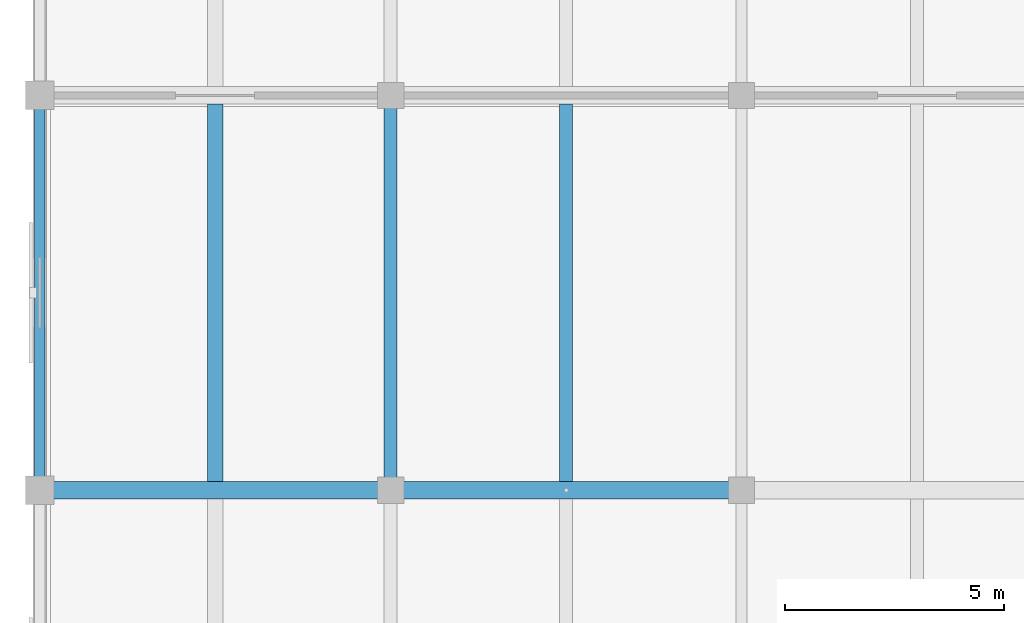
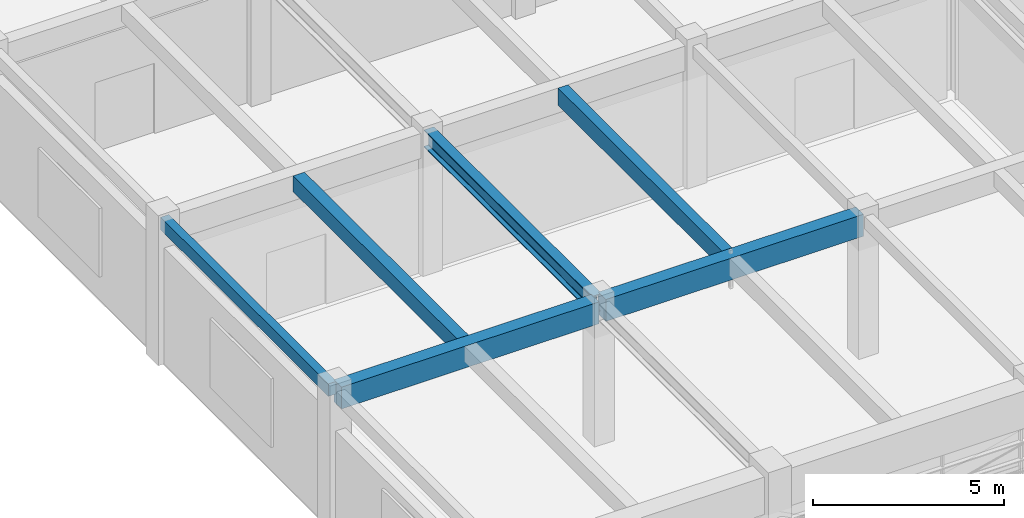
# One storey, part 37 of 144: 6 beams.
"""IFC4 building model written with IfcOpenShell, lengths in metres."""

from ifc_helpers import new_model, si_unit, direction, frame, origin, origin_2d, place, context, subcontext, project, spatial, rectangle, i_section, extrude, material, material_profile, profile_set, type_object, element, save


model = new_model("IFC4")

# Units and contexts
model_context = context("Model", 3, precision=1e-05, world=origin(), true_north=direction((0.0, 1.0)))
body_context = subcontext(model_context, "Body", "Model", "MODEL_VIEW")
ifc_project = project(units=[si_unit("LENGTHUNIT", "METRE"), si_unit("AREAUNIT", "SQUARE_METRE"), si_unit("VOLUMEUNIT", "CUBIC_METRE"), si_unit("PLANEANGLEUNIT", "RADIAN"), si_unit("MASSUNIT", "GRAM", prefix="KILO")], contexts=[model_context])

# Site, building, storey
site_placement = place(None, origin())
site = spatial("IfcSite", under=ifc_project, at=site_placement, CompositionType="ELEMENT")
building_placement = place(site_placement, origin())
building = spatial("IfcBuilding", under=site, at=building_placement, Name="Varnabhumi Central Station", CompositionType="ELEMENT")
storey_placement = place(building_placement, frame((0.0, 0.0, 4.800048828125)))
storey = spatial("IfcBuildingStorey", under=building, at=storey_placement, Name="L01", CompositionType="ELEMENT", Elevation=4.800048828125)

# Beams
ifc_material_1 = material(Name="Concrete M35", Category="concrete")
ifc_material_profile_1 = material_profile(ifc_material_1, rectangle(XDim=0.25, YDim=0.39990234375, at=origin_2d()), Name="Concrete M35", Category="concrete")
ifc_profile_set_1 = profile_set([ifc_material_profile_1], Name="Concrete M35")
beam_type_1 = type_object("IfcBeamType", Name="BM-RC-250x400", PredefinedType="LINTEL", material=ifc_profile_set_1)
beam_1_placement = place(storey_placement, frame((0.0, 89.10009765625, 4.349853515625), z_axis=(0.0, 1.0, 0.0), x_axis=(-1.0, 0.0, 0.0)))
element("IfcBeam", 1, at=beam_1_placement, inside=storey, type_object=beam_type_1, Name="Beam L01-1:L-M", PredefinedType="LINTEL", context=body_context, shape_type="SweptSolid", body=[
    extrude(rectangle(XDim=0.25, YDim=0.39990234375, at=origin_2d()), origin(), (0.0, 0.0, 1.0), 8.7998046875),
])
ifc_material_2 = material(Name="Concrete M40", Category="concrete")
ifc_material_profile_2 = material_profile(ifc_material_2, rectangle(XDim=0.300048828125, YDim=0.550048828125, at=origin_2d()), Name="Concrete M40", Category="concrete")
ifc_profile_set_2 = profile_set([ifc_material_profile_2], Name="Concrete M40")
beam_type_2 = type_object("IfcBeamType", Name="BM-RC-300x550", PredefinedType="JOIST", material=ifc_profile_set_2)
beam_2_placement = place(storey_placement, frame((12.0, 89.199951171875, 4.27490234375), z_axis=(0.0, 1.0, 0.0), x_axis=(-1.0, 0.0, 0.0)))
element("IfcBeam", 2, at=beam_2_placement, inside=storey, type_object=beam_type_2, Name="Secondary Joist L01-2/3:L-M", PredefinedType="JOIST", context=body_context, shape_type="SweptSolid", body=[
    extrude(rectangle(XDim=0.300048828125, YDim=0.550048828125, at=origin_2d()), origin(), (0.0, 0.0, 1.0), 8.60009765625),
])
ifc_material_profile_3 = material_profile(ifc_material_2, rectangle(XDim=0.35009765625, YDim=0.5, at=origin_2d()), Name="Concrete M40", Category="concrete")
ifc_profile_set_3 = profile_set([ifc_material_profile_3], Name="Concrete M40")
beam_type_3 = type_object("IfcBeamType", Name="BM-RC-350x500", PredefinedType="JOIST", material=ifc_profile_set_3)
beam_3_placement = place(storey_placement, frame((4.0, 89.199951171875, 4.300048828125), z_axis=(0.0, 1.0, 0.0), x_axis=(-1.0, 0.0, 0.0)))
element("IfcBeam", 3, at=beam_3_placement, inside=storey, type_object=beam_type_3, Name="Secondary Joist L01-1/2:L-M", PredefinedType="JOIST", context=body_context, shape_type="SweptSolid", body=[
    extrude(rectangle(XDim=0.35009765625, YDim=0.5, at=origin_2d()), origin(), (0.0, 0.0, 1.0), 8.60009765625),
])
ifc_material_profile_4 = material_profile(ifc_material_2, rectangle(XDim=0.39990234375, YDim=0.699951171875, at=origin_2d()), Name="Concrete M40", Category="concrete")
ifc_profile_set_4 = profile_set([ifc_material_profile_4], Name="Concrete M40")
beam_type_4 = type_object("IfcBeamType", Name="BM-RC-400x700", PredefinedType="BEAM", material=ifc_profile_set_4)
for number, where, z_axis, x_axis, name in (
    (4, (0.10009765625, 89.0, 4.199951171875), (1.0, 0.0, 0.0), (0.0, 1.0, 0.0), "Beam L01-L:1-2"),
    (5, (8.10009765625, 89.0, 4.199951171875), (1.0, 0.0, 0.0), (0.0, 1.0, 0.0), "Beam L01-L:2-3"),
):
    element("IfcBeam", number, at=place(storey_placement, frame(where, z_axis=z_axis, x_axis=x_axis)), inside=storey, type_object=beam_type_4, Name=name, PredefinedType="BEAM", context=body_context, shape_type="SweptSolid", body=[
        extrude(rectangle(XDim=0.39990234375, YDim=0.699951171875, at=origin_2d()), origin(), (0.0, 0.0, 1.0), 7.7998046875),
    ])
ifc_material_3 = material(Name="Structural steel E350", Category="steel")
ifc_material_profile_5 = material_profile(ifc_material_3, i_section(OverallWidth=0.300048828125, OverallDepth=0.550048828125, WebThickness=0.014892578125, FlangeThickness=0.029052734375, FilletRadius=0.027099609375, at=origin_2d()), Name="Structural steel E350", Category="steel")
ifc_profile_set_5 = profile_set([ifc_material_profile_5], Name="Structural steel E350")
beam_type_5 = type_object("IfcBeamType", Name="BM-STL-WPB550", PredefinedType="BEAM", material=ifc_profile_set_5)
beam_4_placement = place(storey_placement, frame((8.0, 89.10009765625, 4.27490234375), z_axis=(0.0, 1.0, 0.0), x_axis=(-1.0, 0.0, 0.0)))
element("IfcBeam", 6, at=beam_4_placement, inside=storey, type_object=beam_type_5, Name="Beam L01-2:L-M", PredefinedType="BEAM", context=body_context, shape_type="SweptSolid", body=[
    extrude(i_section(OverallWidth=0.300048828125, OverallDepth=0.550048828125, WebThickness=0.014892578125, FlangeThickness=0.029052734375, FilletRadius=0.027099609375, at=origin_2d()), origin(), (0.0, 0.0, 1.0), 8.7998046875),
])

save(model, "model.ifc")
